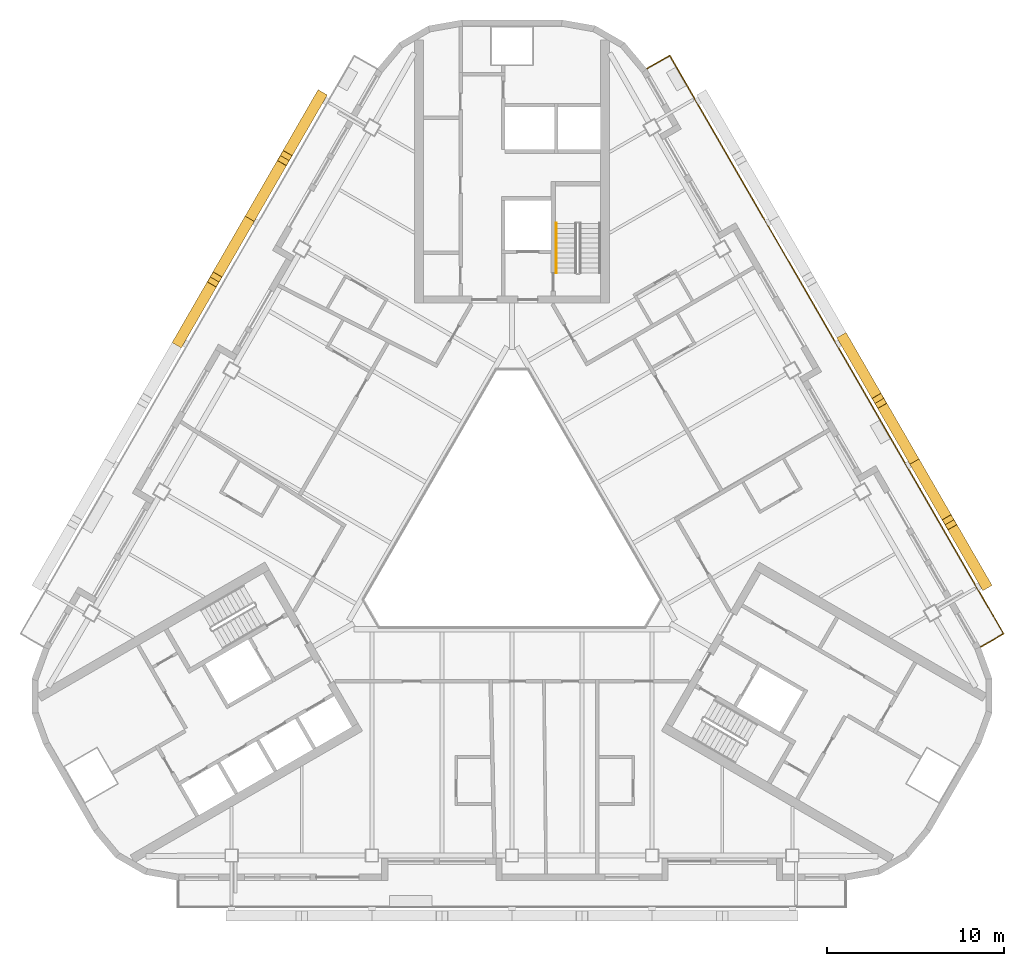
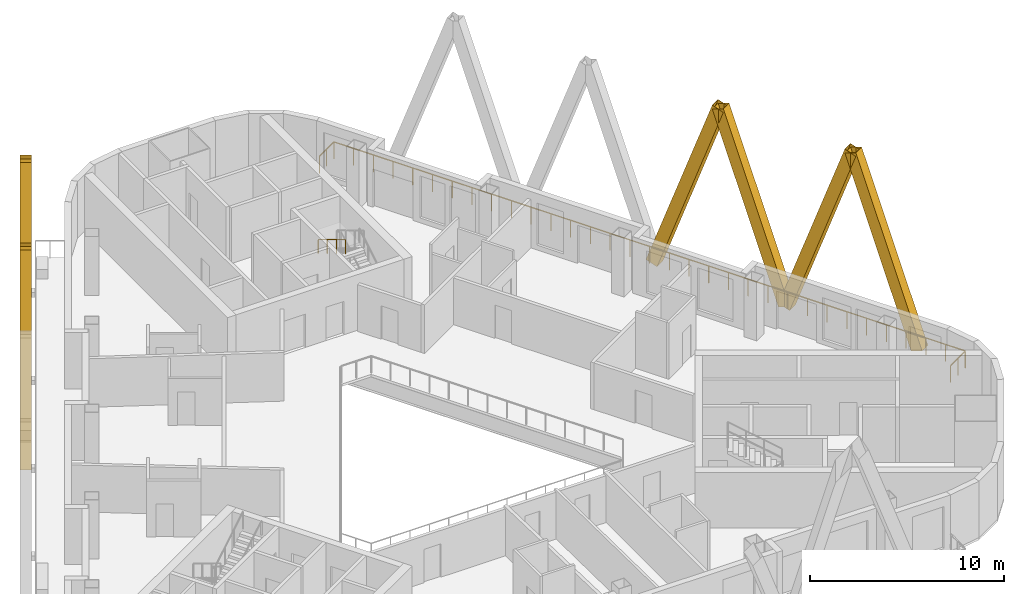
# One storey, part 12 of 13: 8 shading devices, 2 railings.
"""IFC4 building model written with IfcOpenShell, lengths in metres."""

from ifc_helpers import new_model, si_unit, direction, frame, origin, origin_2d, place, context, subcontext, project, spatial, rectangle, hollow_rectangle, circle, extrude, material, material_profile, profile_set, type_object, element, save


model = new_model("IFC4")

# Units and contexts
model_context = context("Model", 3, precision=1e-05, world=origin(), true_north=direction((0.0, 1.0)))
body_context = subcontext(model_context, "Body", "Model", "MODEL_VIEW")
ifc_project = project(units=[si_unit("LENGTHUNIT", "METRE"), si_unit("AREAUNIT", "SQUARE_METRE"), si_unit("VOLUMEUNIT", "CUBIC_METRE"), si_unit("PLANEANGLEUNIT", "RADIAN"), si_unit("MASSUNIT", "GRAM", prefix="KILO")], contexts=[model_context])

# Site, building, storey
site_placement = place(None, origin())
site = spatial("IfcSite", under=ifc_project, at=site_placement, CompositionType="ELEMENT")
building_placement = place(site_placement, origin())
building = spatial("IfcBuilding", under=site, at=building_placement, Name="Apuvela Tower Hotel", CompositionType="ELEMENT")
storey_placement = place(building_placement, frame((0.0, 0.0, 191.0)))
storey = spatial("IfcBuildingStorey", under=building, at=storey_placement, Name="L46", CompositionType="ELEMENT", Elevation=191.0)

# Railing
ifc_material_1 = material(Name="Stainless steel 316 handrail", Category="steel")
railing_type_1 = type_object("IfcRailingType", Name="COR-HANDRAIL-900", PredefinedType="HANDRAIL", material=ifc_material_1)
railing_1_placement = place(storey_placement, frame((2.5, 17.39990234375, 2.01806640625)))
element("IfcRailing", 1, at=railing_1_placement, inside=storey, type_object=railing_type_1, Name="L46 ST1 stair handrail 2", PredefinedType="HANDRAIL", context=body_context, shape_type="SweptSolid", body=[
    extrude(circle(Radius=0.02392578125, at=origin_2d()), frame((0.0, 0.0, 0.8759765625), z_axis=(0.0, -0.857222391501, 0.514946377315), x_axis=(1.0, 0.0, 0.0)), (0.0, 0.0, 1.0), 3.26611328125),
    extrude(rectangle(XDim=0.0419921875, YDim=0.0419921875, at=origin_2d()), origin(), (0.0, 0.0, 1.0), 0.851806640625),
    extrude(rectangle(XDim=0.0419921875, YDim=0.0419921875, at=origin_2d()), frame((0.0, -0.933349609375, 0.560546875)), (0.0, 0.0, 1.0), 0.851806640625),
    extrude(rectangle(XDim=0.0419921875, YDim=0.0419921875, at=origin_2d()), frame((0.0, -1.866455078125, 1.121337890625)), (0.0, 0.0, 1.0), 0.851806640625),
    extrude(rectangle(XDim=0.0419921875, YDim=0.0419921875, at=origin_2d()), frame((0.0, -2.7998046875, 1.681884765625)), (0.0, 0.0, 1.0), 0.851806640625),
])

# Shading devices
ifc_material_2 = material(Name="Aluminium 6063-T6, black anodised", Category="aluminium")
ifc_material_profile = material_profile(ifc_material_2, hollow_rectangle(XDim=0.60009765625, YDim=0.699951171875, WallThickness=0.011962890625, at=origin_2d()), Name="AL BOX 700x600x12")
ifc_profile_set = profile_set([ifc_material_profile], Name="Aluminium 6063-T6, black anodised")
shading_device_type = type_object("IfcShadingDeviceType", Name="ENV-FIN-700x600", PredefinedType="USERDEFINED", material=ifc_profile_set)
for number, where, z_axis, x_axis, name in (
    (2, (26.632080078125, -2.8681640625, -0.10009765625), (-0.167637761855, 0.290330368522, 0.942128365943), (-0.866005453737, -0.500034552904, 0.0), "Lattice fin NE465"),
    (3, (22.68212890625, 3.973388671875, -0.10009765625), (0.167616614035, -0.290350351818, 0.942125970292), (0.866047669374, 0.499961432884, 0.0), "Lattice fin NE466"),
    (4, (22.68212890625, 3.973388671875, -0.10009765625), (-0.1676367533, 0.290349343294, 0.942122697844), (-0.866020906874, -0.500007788796, 0.0), "Lattice fin NE467"),
    (5, (18.732177734375, 10.81494140625, -0.10009765625), (0.167617622475, -0.290331376992, 0.942131638451), (0.866032218625, 0.499988196164, 0.0), "Lattice fin NE468"),
    (6, (-10.83203125, 24.498291015625, -0.10009765625), (-0.1676367533, -0.290349343294, 0.942122697844), (0.866020906874, -0.500007788796, 0.0), "Lattice fin NW497"),
    (7, (-14.781982421875, 17.656494140625, -0.10009765625), (0.167616614035, 0.290350351818, 0.942125970292), (-0.866047669374, 0.499961432884, 0.0), "Lattice fin NW498"),
    (8, (-14.781982421875, 17.656494140625, -0.10009765625), (-0.167637761855, -0.290330368522, 0.942128365943), (0.866005453737, -0.500034552904, 0.0), "Lattice fin NW499"),
    (9, (-18.732177734375, 10.81494140625, -0.10009765625), (0.1676367533, 0.290349343294, 0.942122697844), (-0.866020906874, 0.500007788796, 0.0), "Lattice fin NW500"),
):
    element("IfcShadingDevice", number, at=place(storey_placement, frame(where, z_axis=z_axis, x_axis=x_axis)), inside=storey, type_object=shading_device_type, Name=name, ObjectType="FIN", PredefinedType="USERDEFINED", context=body_context, shape_type="SweptSolid", body=[
        extrude(hollow_rectangle(XDim=0.60009765625, YDim=0.699951171875, WallThickness=0.011962890625, at=origin_2d()), origin(), (0.0, 0.0, 1.0), 11.781982421875),
    ])

# Railing
ifc_material_3 = material(Name="Stainless steel 316 rail with laminated glass infill", Category="steel")
railing_type_2 = type_object("IfcRailingType", Name="ENV-GUARD-1100", PredefinedType="GUARDRAIL", material=ifc_material_3)
railing_2_placement = place(storey_placement, frame((26.407958984375, -6.47998046875, 0.0)))
element("IfcRailing", 10, at=railing_2_placement, inside=storey, type_object=railing_type_2, Name="Balcony guard NE L46", PredefinedType="GUARDRAIL", context=body_context, shape_type="SweptSolid", body=[
    extrude(rectangle(XDim=0.050048828125, YDim=0.050048828125, at=origin_2d()), frame((0.0, 0.0, 1.0751953125), z_axis=(0.866031096941, 0.499990139034, 0.0), x_axis=(-0.499990139034, 0.866031096941, 0.0)), (0.0, 0.0, 1.0), 1.5),
    extrude(rectangle(XDim=0.050048828125, YDim=0.050048828125, at=origin_2d()), frame((1.299072265625, 0.75, 1.0751953125), z_axis=(-0.500000437506, 0.86602515119, 0.0), x_axis=(-0.86602515119, -0.500000437506, 0.0)), (0.0, 0.0, 1.0), 37.6318359375),
    extrude(rectangle(XDim=0.050048828125, YDim=0.050048828125, at=origin_2d()), frame((-17.516845703125, 33.340087890625, 1.0751953125), z_axis=(-0.86599040064, -0.500060622324, 0.0), x_axis=(0.500060622324, -0.86599040064, 0.0)), (0.0, 0.0, 1.0), 1.499755859375),
    extrude(rectangle(XDim=0.0400390625, YDim=0.0400390625, at=origin_2d()), origin(), (0.0, 0.0, 1.0), 1.050048828125),
    extrude(rectangle(XDim=0.0400390625, YDim=0.0400390625, at=origin_2d()), frame((0.6494140625, 0.375, 0.0)), (0.0, 0.0, 1.0), 1.050048828125),
    extrude(rectangle(XDim=0.0400390625, YDim=0.0400390625, at=origin_2d()), frame((1.299072265625, 0.75, 0.0)), (0.0, 0.0, 1.0), 1.050048828125),
    extrude(rectangle(XDim=0.0400390625, YDim=0.0400390625, at=origin_2d()), frame((0.711181640625, 1.7685546875, 0.0)), (0.0, 0.0, 1.0), 1.050048828125),
    extrude(rectangle(XDim=0.0400390625, YDim=0.0400390625, at=origin_2d()), frame((0.123046875, 2.786865234375, 0.0)), (0.0, 0.0, 1.0), 1.050048828125),
    extrude(rectangle(XDim=0.0400390625, YDim=0.0400390625, at=origin_2d()), frame((-0.46484375, 3.805419921875, 0.0)), (0.0, 0.0, 1.0), 1.050048828125),
    extrude(rectangle(XDim=0.0400390625, YDim=0.0400390625, at=origin_2d()), frame((-1.052978515625, 4.82373046875, 0.0)), (0.0, 0.0, 1.0), 1.050048828125),
    extrude(rectangle(XDim=0.0400390625, YDim=0.0400390625, at=origin_2d()), frame((-1.640869140625, 5.84228515625, 0.0)), (0.0, 0.0, 1.0), 1.050048828125),
    extrude(rectangle(XDim=0.0400390625, YDim=0.0400390625, at=origin_2d()), frame((-2.22900390625, 6.860595703125, 0.0)), (0.0, 0.0, 1.0), 1.050048828125),
    extrude(rectangle(XDim=0.0400390625, YDim=0.0400390625, at=origin_2d()), frame((-2.81689453125, 7.879150390625, 0.0)), (0.0, 0.0, 1.0), 1.050048828125),
    extrude(rectangle(XDim=0.0400390625, YDim=0.0400390625, at=origin_2d()), frame((-3.40478515625, 8.8974609375, 0.0)), (0.0, 0.0, 1.0), 1.050048828125),
    extrude(rectangle(XDim=0.0400390625, YDim=0.0400390625, at=origin_2d()), frame((-3.992919921875, 9.916015625, 0.0)), (0.0, 0.0, 1.0), 1.050048828125),
    extrude(rectangle(XDim=0.0400390625, YDim=0.0400390625, at=origin_2d()), frame((-4.580810546875, 10.934326171875, 0.0)), (0.0, 0.0, 1.0), 1.050048828125),
    extrude(rectangle(XDim=0.0400390625, YDim=0.0400390625, at=origin_2d()), frame((-5.1689453125, 11.952880859375, 0.0)), (0.0, 0.0, 1.0), 1.050048828125),
    extrude(rectangle(XDim=0.0400390625, YDim=0.0400390625, at=origin_2d()), frame((-5.7568359375, 12.97119140625, 0.0)), (0.0, 0.0, 1.0), 1.050048828125),
    extrude(rectangle(XDim=0.0400390625, YDim=0.0400390625, at=origin_2d()), frame((-6.344970703125, 13.98974609375, 0.0)), (0.0, 0.0, 1.0), 1.050048828125),
    extrude(rectangle(XDim=0.0400390625, YDim=0.0400390625, at=origin_2d()), frame((-6.932861328125, 15.008056640625, 0.0)), (0.0, 0.0, 1.0), 1.050048828125),
    extrude(rectangle(XDim=0.0400390625, YDim=0.0400390625, at=origin_2d()), frame((-7.52099609375, 16.026611328125, 0.0)), (0.0, 0.0, 1.0), 1.050048828125),
    extrude(rectangle(XDim=0.0400390625, YDim=0.0400390625, at=origin_2d()), frame((-8.10888671875, 17.044921875, 0.0)), (0.0, 0.0, 1.0), 1.050048828125),
    extrude(rectangle(XDim=0.0400390625, YDim=0.0400390625, at=origin_2d()), frame((-8.69677734375, 18.0634765625, 0.0)), (0.0, 0.0, 1.0), 1.050048828125),
    extrude(rectangle(XDim=0.0400390625, YDim=0.0400390625, at=origin_2d()), frame((-9.284912109375, 19.08203125, 0.0)), (0.0, 0.0, 1.0), 1.050048828125),
    extrude(rectangle(XDim=0.0400390625, YDim=0.0400390625, at=origin_2d()), frame((-9.872802734375, 20.100341796875, 0.0)), (0.0, 0.0, 1.0), 1.050048828125),
    extrude(rectangle(XDim=0.0400390625, YDim=0.0400390625, at=origin_2d()), frame((-10.4609375, 21.118896484375, 0.0)), (0.0, 0.0, 1.0), 1.050048828125),
    extrude(rectangle(XDim=0.0400390625, YDim=0.0400390625, at=origin_2d()), frame((-11.048828125, 22.13720703125, 0.0)), (0.0, 0.0, 1.0), 1.050048828125),
    extrude(rectangle(XDim=0.0400390625, YDim=0.0400390625, at=origin_2d()), frame((-11.636962890625, 23.15576171875, 0.0)), (0.0, 0.0, 1.0), 1.050048828125),
    extrude(rectangle(XDim=0.0400390625, YDim=0.0400390625, at=origin_2d()), frame((-12.224853515625, 24.174072265625, 0.0)), (0.0, 0.0, 1.0), 1.050048828125),
    extrude(rectangle(XDim=0.0400390625, YDim=0.0400390625, at=origin_2d()), frame((-12.81298828125, 25.192626953125, 0.0)), (0.0, 0.0, 1.0), 1.050048828125),
    extrude(rectangle(XDim=0.0400390625, YDim=0.0400390625, at=origin_2d()), frame((-13.40087890625, 26.2109375, 0.0)), (0.0, 0.0, 1.0), 1.050048828125),
    extrude(rectangle(XDim=0.0400390625, YDim=0.0400390625, at=origin_2d()), frame((-13.98876953125, 27.2294921875, 0.0)), (0.0, 0.0, 1.0), 1.050048828125),
    extrude(rectangle(XDim=0.0400390625, YDim=0.0400390625, at=origin_2d()), frame((-14.576904296875, 28.247802734375, 0.0)), (0.0, 0.0, 1.0), 1.050048828125),
    extrude(rectangle(XDim=0.0400390625, YDim=0.0400390625, at=origin_2d()), frame((-15.164794921875, 29.266357421875, 0.0)), (0.0, 0.0, 1.0), 1.050048828125),
    extrude(rectangle(XDim=0.0400390625, YDim=0.0400390625, at=origin_2d()), frame((-15.7529296875, 30.28466796875, 0.0)), (0.0, 0.0, 1.0), 1.050048828125),
    extrude(rectangle(XDim=0.0400390625, YDim=0.0400390625, at=origin_2d()), frame((-16.3408203125, 31.30322265625, 0.0)), (0.0, 0.0, 1.0), 1.050048828125),
    extrude(rectangle(XDim=0.0400390625, YDim=0.0400390625, at=origin_2d()), frame((-16.928955078125, 32.321533203125, 0.0)), (0.0, 0.0, 1.0), 1.050048828125),
    extrude(rectangle(XDim=0.0400390625, YDim=0.0400390625, at=origin_2d()), frame((-17.516845703125, 33.340087890625, 0.0)), (0.0, 0.0, 1.0), 1.050048828125),
    extrude(rectangle(XDim=0.0400390625, YDim=0.0400390625, at=origin_2d()), frame((-18.166259765625, 32.965087890625, 0.0)), (0.0, 0.0, 1.0), 1.050048828125),
    extrude(rectangle(XDim=0.0400390625, YDim=0.0400390625, at=origin_2d()), frame((-18.815673828125, 32.590087890625, 0.0)), (0.0, 0.0, 1.0), 1.050048828125),
])

save(model, "model.ifc")
